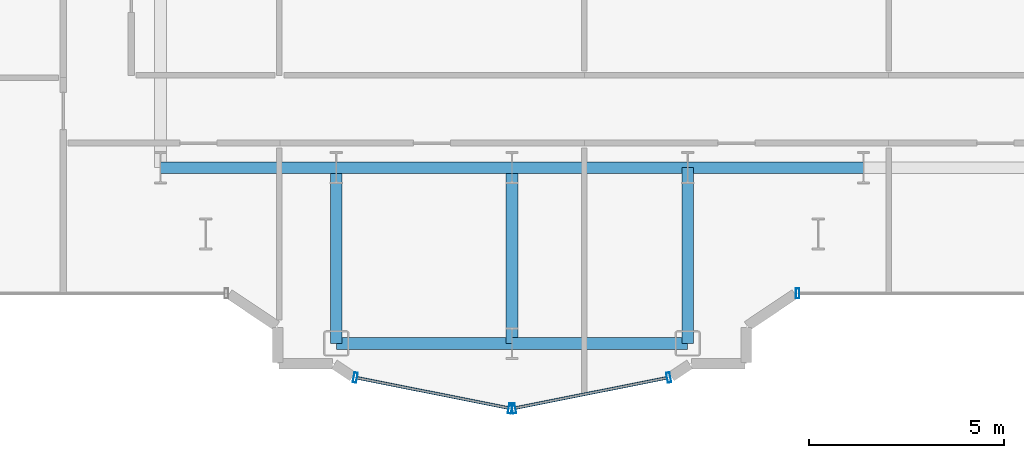
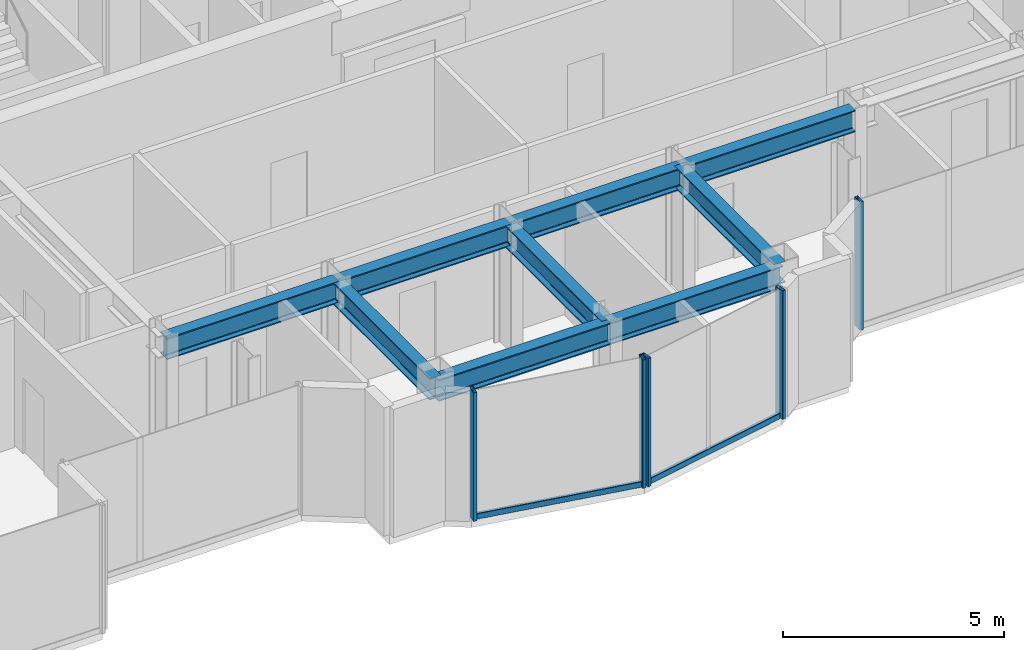
# One storey, part 3 of 20: 9 beams, 7 members, 3 elements without a shape of their own.
"""IFC4 building model written with IfcOpenShell, lengths in metres."""

from ifc_helpers import new_model, si_unit, direction, frame, origin, origin_2d, place, context, subcontext, project, spatial, hollow_rectangle, i_section, extrude, source, transform, mapped, material, layer, layer_set, material_profile, profile_set, type_object, element, aggregate, save


model = new_model("IFC4")

# Units and contexts
model_context = context("Model", 3, precision=1e-05, world=origin(), true_north=direction((0.0, 1.0)))
body_context = subcontext(model_context, "Body", "Model", "MODEL_VIEW")
ifc_project = project(units=[si_unit("LENGTHUNIT", "METRE"), si_unit("AREAUNIT", "SQUARE_METRE"), si_unit("VOLUMEUNIT", "CUBIC_METRE"), si_unit("PLANEANGLEUNIT", "RADIAN"), si_unit("MASSUNIT", "GRAM", prefix="KILO")], contexts=[model_context])

# Site, building, storey
site_placement = place(None, origin())
site = spatial("IfcSite", under=ifc_project, at=site_placement, CompositionType="ELEMENT")
building_placement = place(site_placement, origin())
building = spatial("IfcBuilding", under=site, at=building_placement, Name="Nefas-Gora Pilgrimage Tower", CompositionType="ELEMENT")
storey_placement = place(building_placement, frame((0.0, 0.0, 214.199951171875)))
storey = spatial("IfcBuildingStorey", under=building, at=storey_placement, Name="L53", CompositionType="ELEMENT", Elevation=214.199951171875)

# Beams
ifc_material_1 = material(Name="Steel S355", Category="steel")
ifc_material_profile_1 = material_profile(ifc_material_1, i_section(OverallWidth=0.300048828125, OverallDepth=0.60009765625, WebThickness=0.015380859375, FlangeThickness=0.030029296875, FilletRadius=0.027099609375, at=origin_2d()), Name="HEB 600")
ifc_profile_set_1 = profile_set([ifc_material_profile_1], Name="Steel S355")
beam_type = type_object("IfcBeamType", Name="BM-GIR-HEB600", PredefinedType="BEAM", material=ifc_profile_set_1)
shared_shape_1 = source(origin(), body_context, "Body", "SweptSolid", [
    extrude(i_section(OverallWidth=0.300048828125, OverallDepth=0.60009765625, WebThickness=0.015380859375, FlangeThickness=0.030029296875, FilletRadius=0.027099609375, at=origin_2d()), origin(), (0.0, 0.0, 1.0), 4.5),
])
for number, where, z_axis, x_axis, name in (
    (1, (-11.25, -18.0, 3.25), (1.0, 0.0, 0.0), (0.0, 1.0, 0.0), "L53 G-04 beam"),
    (2, (-6.75, -22.5, 3.25), (0.0, 1.0, 0.0), (-1.0, 0.0, 0.0), "L53 G-04 beam"),
    (3, (-6.75, -22.5, 3.25), (1.0, 0.0, 0.0), (0.0, 1.0, 0.0), "L53 G-04 beam"),
    (4, (-6.75, -18.0, 3.25), (1.0, 0.0, 0.0), (0.0, 1.0, 0.0), "L53 G-04 beam"),
    (5, (-2.25, -22.5, 3.25), (0.0, 1.0, 0.0), (-1.0, 0.0, 0.0), "L53 G-04 beam"),
    (6, (-2.25, -22.5, 3.25), (1.0, 0.0, 0.0), (0.0, 1.0, 0.0), "L53 G-04 beam"),
    (7, (-2.25, -18.0, 3.25), (1.0, 0.0, 0.0), (0.0, 1.0, 0.0), "L53 G-04 beam"),
    (8, (2.25, -22.5, 3.25), (0.0, 1.0, 0.0), (-1.0, 0.0, 0.0), "L53 G-04 beam"),
    (9, (2.25, -18.0, 3.25), (1.0, 0.0, 0.0), (0.0, 1.0, 0.0), "L53 G-04 beam"),
):
    element("IfcBeam", number, at=place(storey_placement, frame(where, z_axis=z_axis, x_axis=x_axis)), inside=storey, type_object=beam_type, Name=name, PredefinedType="BEAM", context=body_context, shape_type="MappedRepresentation", body=[
        mapped(shared_shape_1, transform((0.0, 0.0, 0.0), x_axis=(1.0, 0.0, 0.0), y_axis=(0.0, 1.0, 0.0), z_axis=(0.0, 0.0, 1.0), scale=1.0)),
    ])

# Curtain wall, member
ifc_material_2 = material(Name="Dark ceramic-fritted solar-control aluminium-glass curtain wall", Category="aluminium")
ifc_layer = layer(ifc_material_2, 0.219970703125)
ifc_layer_set = layer_set([ifc_layer], Name="Dark ceramic-fritted solar-control aluminium-glass curtain wall")
curtain_wall_type = type_object("IfcCurtainWallType", Name="CW-SYS-5", PredefinedType="NOTDEFINED", material=ifc_layer_set)
curtain_wall_1_placement = place(storey_placement, origin())
curtain_wall_1 = element("IfcCurtainWall", 10, at=curtain_wall_1_placement, inside=storey, type_object=curtain_wall_type, Name="L53 Unitised Curtain Wall CW5", PredefinedType="NOTDEFINED")
ifc_material_3 = material(Name="Anodised architectural aluminium", Category="aluminium")
ifc_material_profile_2 = material_profile(ifc_material_3, hollow_rectangle(XDim=0.090087890625, YDim=0.260009765625, WallThickness=0.006103515625, InnerFilletRadius=0.006103515625, OuterFilletRadius=0.011962890625, at=origin_2d()), Name="ALU MULLION 90x260")
ifc_profile_set_2 = profile_set([ifc_material_profile_2], Name="Anodised architectural aluminium")
member_type_1 = type_object("IfcMemberType", Name="CWM-MUL-5", PredefinedType="MULLION", material=ifc_profile_set_2)
shared_shape_2 = source(origin(), body_context, "Body", "SweptSolid", [
    extrude(hollow_rectangle(XDim=0.090087890625, YDim=0.260009765625, WallThickness=0.006103515625, InnerFilletRadius=0.006103515625, OuterFilletRadius=0.011962890625, at=origin_2d()), origin(), (0.0, 0.0, 1.0), 3.550048828125),
])
member_1_placement = place(storey_placement, frame((5.06298828125, -21.219970703125, 0.0), z_axis=(0.0, 0.0, 1.0), x_axis=(1.0, 0.0, 0.0)))
member_1 = element("IfcMember", 11, at=member_1_placement, type_object=member_type_1, Name="CW5 Mullion 1", PredefinedType="MULLION", context=body_context, shape_type="MappedRepresentation", body=[
    mapped(shared_shape_2, transform((0.0, 0.0, 0.0), x_axis=(1.0, 0.0, 0.0), y_axis=(0.0, 1.0, 0.0), z_axis=(0.0, 0.0, 1.0), scale=1.0)),
])
aggregate(curtain_wall_1, [member_1])

# Curtain wall, members
curtain_wall_2_placement = place(storey_placement, origin())
curtain_wall_2 = element("IfcCurtainWall", 12, at=curtain_wall_2_placement, inside=storey, type_object=curtain_wall_type, Name="L53 Unitised Curtain Wall CW5", PredefinedType="NOTDEFINED")
member_2_placement = place(storey_placement, frame((-6.26318359375, -23.3740234375, 0.0), z_axis=(0.0, 0.0, 1.0), x_axis=(0.980782896852, -0.195102304554, 0.0)))
member_2 = element("IfcMember", 13, at=member_2_placement, type_object=member_type_1, Name="CW5 Mullion 1", PredefinedType="MULLION", context=body_context, shape_type="MappedRepresentation", body=[
    mapped(shared_shape_2, transform((0.0, 0.0, 0.0), x_axis=(1.0, 0.0, 0.0), y_axis=(0.0, 1.0, 0.0), z_axis=(0.0, 0.0, 1.0), scale=1.0)),
])
member_3_placement = place(storey_placement, frame((-2.294189453125, -24.16357421875, 0.0), z_axis=(0.0, 0.0, 1.0), x_axis=(0.980782896852, -0.195102304554, 0.0)))
member_3 = element("IfcMember", 14, at=member_3_placement, type_object=member_type_1, Name="CW5 Mullion 2", PredefinedType="MULLION", context=body_context, shape_type="MappedRepresentation", body=[
    mapped(shared_shape_2, transform((0.0, 0.0, 0.0), x_axis=(1.0, 0.0, 0.0), y_axis=(0.0, 1.0, 0.0), z_axis=(0.0, 0.0, 1.0), scale=1.0)),
])

curtain_wall_3_placement = place(storey_placement, origin())
curtain_wall_3 = element("IfcCurtainWall", 15, at=curtain_wall_3_placement, inside=storey, type_object=curtain_wall_type, Name="L53 Unitised Curtain Wall CW5", PredefinedType="NOTDEFINED")
member_4_placement = place(storey_placement, frame((-2.205810546875, -24.16357421875, 0.0), z_axis=(0.0, 0.0, 1.0), x_axis=(0.980782896852, 0.195102304554, 0.0)))
member_4 = element("IfcMember", 16, at=member_4_placement, type_object=member_type_1, Name="CW5 Mullion 1", PredefinedType="MULLION", context=body_context, shape_type="MappedRepresentation", body=[
    mapped(shared_shape_2, transform((0.0, 0.0, 0.0), x_axis=(1.0, 0.0, 0.0), y_axis=(0.0, 1.0, 0.0), z_axis=(0.0, 0.0, 1.0), scale=1.0)),
])
member_5_placement = place(storey_placement, frame((1.76318359375, -23.3740234375, 0.0), z_axis=(0.0, 0.0, 1.0), x_axis=(0.980782896852, 0.195102304554, 0.0)))
member_5 = element("IfcMember", 17, at=member_5_placement, type_object=member_type_1, Name="CW5 Mullion 2", PredefinedType="MULLION", context=body_context, shape_type="MappedRepresentation", body=[
    mapped(shared_shape_2, transform((0.0, 0.0, 0.0), x_axis=(1.0, 0.0, 0.0), y_axis=(0.0, 1.0, 0.0), z_axis=(0.0, 0.0, 1.0), scale=1.0)),
])

# Member
ifc_material_profile_3 = material_profile(ifc_material_3, hollow_rectangle(XDim=0.080078125, YDim=0.159912109375, WallThickness=0.00439453125, InnerFilletRadius=0.00439453125, OuterFilletRadius=0.009033203125, at=origin_2d()), Name="ALU TRANSOM 80x160")
ifc_profile_set_3 = profile_set([ifc_material_profile_3], Name="Anodised architectural aluminium")
member_type_2 = type_object("IfcMemberType", Name="CWM-TRN-5", PredefinedType="USERDEFINED", material=ifc_profile_set_3)
shared_shape_3 = source(origin(), body_context, "Body", "SweptSolid", [
    extrude(hollow_rectangle(XDim=0.080078125, YDim=0.159912109375, WallThickness=0.00439453125, InnerFilletRadius=0.00439453125, OuterFilletRadius=0.009033203125, at=origin_2d()), origin(), (0.0, 0.0, 1.0), 3.95654296875),
])
member_6_placement = place(storey_placement, frame((-6.218994140625, -23.3828125, 0.050048828125), z_axis=(0.980781880918, -0.195107411605, 0.0), x_axis=(0.195107411605, 0.980781880918, 0.0)))
member_6 = element("IfcMember", 18, at=member_6_placement, type_object=member_type_2, Name="CW5 Spandrel Transom", ObjectType="TRANSOM", PredefinedType="USERDEFINED", context=body_context, shape_type="MappedRepresentation", body=[
    mapped(shared_shape_3, transform((0.0, 0.0, 0.0), x_axis=(1.0, 0.0, 0.0), y_axis=(0.0, 1.0, 0.0), z_axis=(0.0, 0.0, 1.0), scale=1.0)),
])

aggregate(curtain_wall_2, [member_2, member_3, member_6])

member_7_placement = place(storey_placement, frame((-2.16162109375, -24.15478515625, 0.050048828125), z_axis=(0.980781880918, 0.195107411605, 0.0), x_axis=(-0.195107411605, 0.980781880918, 0.0)))
member_7 = element("IfcMember", 19, at=member_7_placement, type_object=member_type_2, Name="CW5 Spandrel Transom", ObjectType="TRANSOM", PredefinedType="USERDEFINED", context=body_context, shape_type="MappedRepresentation", body=[
    mapped(shared_shape_3, transform((0.0, 0.0, 0.0), x_axis=(1.0, 0.0, 0.0), y_axis=(0.0, 1.0, 0.0), z_axis=(0.0, 0.0, 1.0), scale=1.0)),
])

aggregate(curtain_wall_3, [member_4, member_5, member_7])

save(model, "model.ifc")
